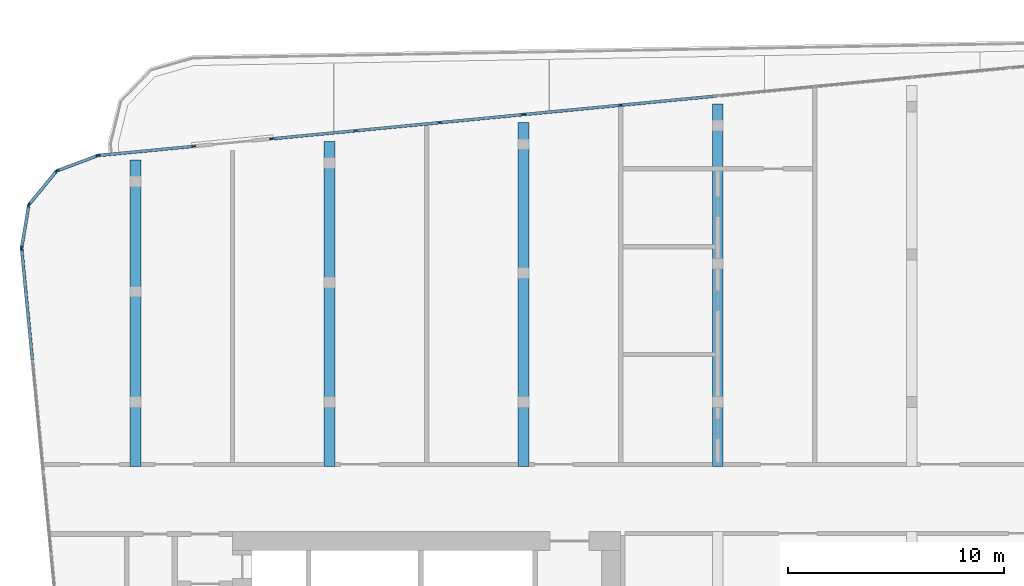
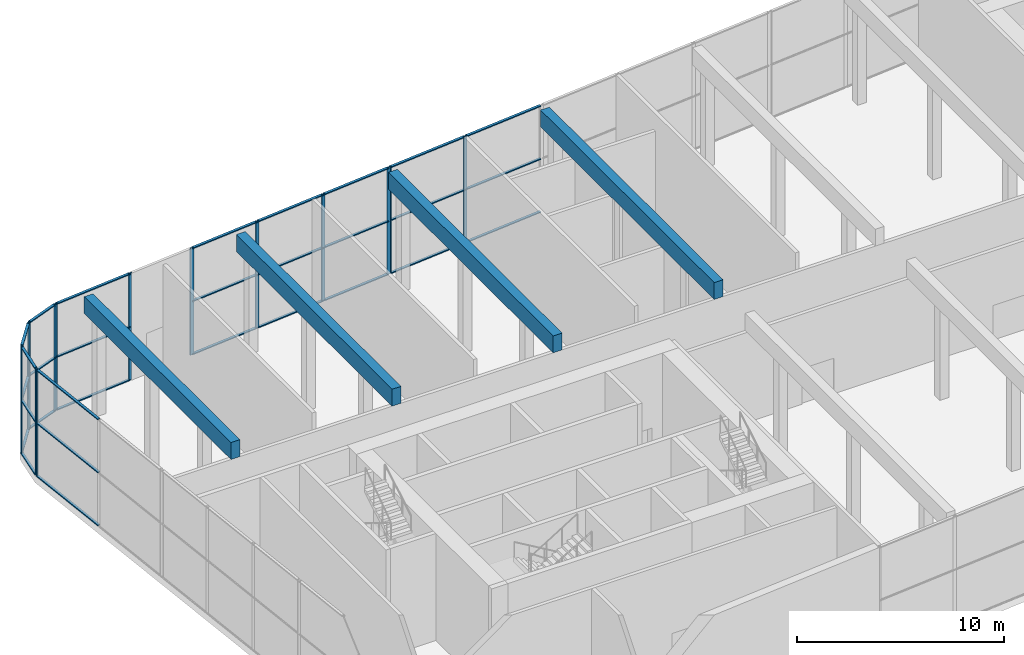
# One storey, part 5 of 24: 45 members, 4 beams, 7 elements without a shape of their own.
"""IFC4 building model written with IfcOpenShell, lengths in metres."""

from ifc_helpers import new_model, si_unit, direction, frame, origin, origin_2d, place, context, subcontext, project, spatial, rectangle, extrude, material, material_profile, profile_set, type_object, element, aggregate, save


model = new_model("IFC4")

# Units and contexts
model_context = context("Model", 3, precision=1e-05, world=origin(), true_north=direction((0.0, 1.0)))
body_context = subcontext(model_context, "Body", "Model", "MODEL_VIEW")
ifc_project = project(units=[si_unit("LENGTHUNIT", "METRE"), si_unit("AREAUNIT", "SQUARE_METRE"), si_unit("VOLUMEUNIT", "CUBIC_METRE"), si_unit("PLANEANGLEUNIT", "RADIAN"), si_unit("MASSUNIT", "GRAM", prefix="KILO")], contexts=[model_context])

# Site, building, storey
site_placement = place(None, origin())
site = spatial("IfcSite", under=ifc_project, at=site_placement, CompositionType="ELEMENT")
building_placement = place(site_placement, origin())
building = spatial("IfcBuilding", under=site, at=building_placement, Name="Kajstack Hotel Tower", CompositionType="ELEMENT")
storey_placement = place(building_placement, frame((0.0, 0.0, 261.89990234375)))
storey = spatial("IfcBuildingStorey", under=building, at=storey_placement, Name="L65", CompositionType="ELEMENT", Elevation=261.89990234375)

# Curtain wall, member
ifc_material_1 = material(Name="Aluminium-framed curtain wall, low-iron insulated glass", Category="aluminium")
curtain_wall_type = type_object("IfcCurtainWallType", Name="CW-GARDEN", PredefinedType="NOTDEFINED", material=ifc_material_1)
curtain_wall_1_placement = place(storey_placement, origin())
curtain_wall_1 = element("IfcCurtainWall", 1, at=curtain_wall_1_placement, inside=storey, type_object=curtain_wall_type, Name="Curtain wall CU6 L65-00-00-0", PredefinedType="NOTDEFINED")
ifc_material_2 = material(Name="Aluminium", Category="aluminium")
ifc_material_profile_1 = material_profile(ifc_material_2, rectangle(XDim=0.06005859375, YDim=0.199951171875, at=origin_2d()), Name="Aluminium mullion 60 x 200")
ifc_profile_set_1 = profile_set([ifc_material_profile_1], Name="Aluminium")
member_type_1 = type_object("IfcMemberType", Name="CW-M-GARDEN", PredefinedType="MULLION", material=ifc_profile_set_1)
member_1_placement = place(storey_placement, frame((-41.27880859375, 11.613525390625, 0.0), z_axis=(0.0, 0.0, 1.0), x_axis=(0.995396099628, 0.095846777958, 0.0)))
member_1 = element("IfcMember", 2, at=member_1_placement, type_object=member_type_1, Name="CU6 mullion 1", PredefinedType="MULLION", context=body_context, shape_type="SweptSolid", body=[
    extrude(rectangle(XDim=0.06005859375, YDim=0.199951171875, at=origin_2d()), origin(), (0.0, 0.0, 1.0), 6.320068359375),
])

# Curtain wall, members
curtain_wall_2_placement = place(storey_placement, origin())
curtain_wall_2 = element("IfcCurtainWall", 3, at=curtain_wall_2_placement, inside=storey, type_object=curtain_wall_type, Name="Curtain wall CU6 L65-12-01-2", PredefinedType="NOTDEFINED")
member_2_placement = place(storey_placement, frame((-13.492919921875, 18.262451171875, 0.0), z_axis=(0.0, 0.0, 1.0), x_axis=(0.095846360834, -0.995396139793, 0.0)))
member_2 = element("IfcMember", 4, at=member_2_placement, type_object=member_type_1, Name="CU6 mullion 2", PredefinedType="MULLION", context=body_context, shape_type="SweptSolid", body=[
    extrude(rectangle(XDim=0.06005859375, YDim=0.199951171875, at=origin_2d()), origin(), (0.0, 0.0, 1.0), 6.320068359375),
])
member_3_placement = place(storey_placement, frame((-17.962890625, 17.83203125, 0.0), z_axis=(0.0, 0.0, 1.0), x_axis=(0.095846360834, -0.995396139793, 0.0)))
member_3 = element("IfcMember", 5, at=member_3_placement, type_object=member_type_1, Name="CU6 mullion 3", PredefinedType="MULLION", context=body_context, shape_type="SweptSolid", body=[
    extrude(rectangle(XDim=0.06005859375, YDim=0.199951171875, at=origin_2d()), origin(), (0.0, 0.0, 1.0), 6.320068359375),
])

curtain_wall_3_placement = place(storey_placement, origin())
curtain_wall_3 = element("IfcCurtainWall", 6, at=curtain_wall_3_placement, inside=storey, type_object=curtain_wall_type, Name="Curtain wall CU6 L65-12-01-3", PredefinedType="NOTDEFINED")
member_4_placement = place(storey_placement, frame((-18.022705078125, 17.826171875, 0.0), z_axis=(0.0, 0.0, 1.0), x_axis=(0.095846301887, -0.995396145469, 0.0)))
member_4 = element("IfcMember", 7, at=member_4_placement, type_object=member_type_1, Name="CU6 mullion 1", PredefinedType="MULLION", context=body_context, shape_type="SweptSolid", body=[
    extrude(rectangle(XDim=0.06005859375, YDim=0.199951171875, at=origin_2d()), origin(), (0.0, 0.0, 1.0), 6.320068359375),
])
member_5_placement = place(storey_placement, frame((-21.8955078125, 17.453369140625, 0.0), z_axis=(0.0, 0.0, 1.0), x_axis=(0.095846301887, -0.995396145469, 0.0)))
member_5 = element("IfcMember", 8, at=member_5_placement, type_object=member_type_1, Name="CU6 mullion 2", PredefinedType="MULLION", context=body_context, shape_type="SweptSolid", body=[
    extrude(rectangle(XDim=0.06005859375, YDim=0.199951171875, at=origin_2d()), origin(), (0.0, 0.0, 1.0), 6.320068359375),
])
member_6_placement = place(storey_placement, frame((-25.79833984375, 17.077392578125, 0.0), z_axis=(0.0, 0.0, 1.0), x_axis=(0.095846301887, -0.995396145469, 0.0)))
member_6 = element("IfcMember", 9, at=member_6_placement, type_object=member_type_1, Name="CU6 mullion 3", PredefinedType="MULLION", context=body_context, shape_type="SweptSolid", body=[
    extrude(rectangle(XDim=0.06005859375, YDim=0.199951171875, at=origin_2d()), origin(), (0.0, 0.0, 1.0), 6.320068359375),
])
member_7_placement = place(storey_placement, frame((-29.671142578125, 16.70458984375, 0.0), z_axis=(0.0, 0.0, 1.0), x_axis=(0.095846301887, -0.995396145469, 0.0)))
member_7 = element("IfcMember", 10, at=member_7_placement, type_object=member_type_1, Name="CU6 mullion 4", PredefinedType="MULLION", context=body_context, shape_type="SweptSolid", body=[
    extrude(rectangle(XDim=0.06005859375, YDim=0.199951171875, at=origin_2d()), origin(), (0.0, 0.0, 1.0), 6.320068359375),
])

curtain_wall_4_placement = place(storey_placement, origin())
curtain_wall_4 = element("IfcCurtainWall", 11, at=curtain_wall_4_placement, inside=storey, type_object=curtain_wall_type, Name="Curtain wall CU6 L65-12-03-0", PredefinedType="NOTDEFINED")
member_8_placement = place(storey_placement, frame((-33.314453125, 16.353759765625, 0.0), z_axis=(0.0, 0.0, 1.0), x_axis=(0.095846358332, -0.995396140034, 0.0)))
member_8 = element("IfcMember", 12, at=member_8_placement, type_object=member_type_1, Name="CU6 mullion 1", PredefinedType="MULLION", context=body_context, shape_type="SweptSolid", body=[
    extrude(rectangle(XDim=0.06005859375, YDim=0.199951171875, at=origin_2d()), origin(), (0.0, 0.0, 1.0), 6.320068359375),
])
member_9_placement = place(storey_placement, frame((-37.720947265625, 15.929443359375, 0.0), z_axis=(0.0, 0.0, 1.0), x_axis=(0.095846358332, -0.995396140034, 0.0)))
member_9 = element("IfcMember", 13, at=member_9_placement, type_object=member_type_1, Name="CU6 mullion 2", PredefinedType="MULLION", context=body_context, shape_type="SweptSolid", body=[
    extrude(rectangle(XDim=0.06005859375, YDim=0.199951171875, at=origin_2d()), origin(), (0.0, 0.0, 1.0), 6.320068359375),
])

curtain_wall_5_placement = place(storey_placement, origin())
curtain_wall_5 = element("IfcCurtainWall", 14, at=curtain_wall_5_placement, inside=storey, type_object=curtain_wall_type, Name="Curtain wall CU6 L65-13-00-0", PredefinedType="NOTDEFINED")
member_10_placement = place(storey_placement, frame((-37.760009765625, 15.92041015625, 0.0), z_axis=(0.0, 0.0, 1.0), x_axis=(0.3502023187, -0.936674082046, 0.0)))
member_10 = element("IfcMember", 15, at=member_10_placement, type_object=member_type_1, Name="CU6 mullion 1", PredefinedType="MULLION", context=body_context, shape_type="SweptSolid", body=[
    extrude(rectangle(XDim=0.06005859375, YDim=0.199951171875, at=origin_2d()), origin(), (0.0, 0.0, 1.0), 6.320068359375),
])
member_11_placement = place(storey_placement, frame((-39.64306640625, 15.21630859375, 0.0), z_axis=(0.0, 0.0, 1.0), x_axis=(0.3502023187, -0.936674082046, 0.0)))
member_11 = element("IfcMember", 16, at=member_11_placement, type_object=member_type_1, Name="CU6 mullion 2", PredefinedType="MULLION", context=body_context, shape_type="SweptSolid", body=[
    extrude(rectangle(XDim=0.06005859375, YDim=0.199951171875, at=origin_2d()), origin(), (0.0, 0.0, 1.0), 6.320068359375),
])

curtain_wall_6_placement = place(storey_placement, origin())
curtain_wall_6 = element("IfcCurtainWall", 17, at=curtain_wall_6_placement, inside=storey, type_object=curtain_wall_type, Name="Curtain wall CU6 L65-14-00-0", PredefinedType="NOTDEFINED")
member_12_placement = place(storey_placement, frame((-39.65869140625, 15.205322265625, 0.0), z_axis=(0.0, 0.0, 1.0), x_axis=(0.771634596978, -0.636066072627, 0.0)))
member_12 = element("IfcMember", 18, at=member_12_placement, type_object=member_type_1, Name="CU6 mullion 1", PredefinedType="MULLION", context=body_context, shape_type="SweptSolid", body=[
    extrude(rectangle(XDim=0.06005859375, YDim=0.199951171875, at=origin_2d()), origin(), (0.0, 0.0, 1.0), 6.320068359375),
])
member_13_placement = place(storey_placement, frame((-40.9375, 13.65380859375, 0.0), z_axis=(0.0, 0.0, 1.0), x_axis=(0.771634596978, -0.636066072627, 0.0)))
member_13 = element("IfcMember", 19, at=member_13_placement, type_object=member_type_1, Name="CU6 mullion 2", PredefinedType="MULLION", context=body_context, shape_type="SweptSolid", body=[
    extrude(rectangle(XDim=0.06005859375, YDim=0.199951171875, at=origin_2d()), origin(), (0.0, 0.0, 1.0), 6.320068359375),
])

curtain_wall_7_placement = place(storey_placement, origin())
curtain_wall_7 = element("IfcCurtainWall", 20, at=curtain_wall_7_placement, inside=storey, type_object=curtain_wall_type, Name="Curtain wall CU6 L65-15-00-0", PredefinedType="NOTDEFINED")
member_14_placement = place(storey_placement, frame((-40.945556640625, 13.636474609375, 0.0), z_axis=(0.0, 0.0, 1.0), x_axis=(0.986280124455, -0.165080332276, 0.0)))
member_14 = element("IfcMember", 21, at=member_14_placement, type_object=member_type_1, Name="CU6 mullion 1", PredefinedType="MULLION", context=body_context, shape_type="SweptSolid", body=[
    extrude(rectangle(XDim=0.06005859375, YDim=0.199951171875, at=origin_2d()), origin(), (0.0, 0.0, 1.0), 6.320068359375),
])
member_15_placement = place(storey_placement, frame((-41.27734375, 11.653564453125, 0.0), z_axis=(0.0, 0.0, 1.0), x_axis=(0.986280124455, -0.165080332276, 0.0)))
member_15 = element("IfcMember", 22, at=member_15_placement, type_object=member_type_1, Name="CU6 mullion 2", PredefinedType="MULLION", context=body_context, shape_type="SweptSolid", body=[
    extrude(rectangle(XDim=0.06005859375, YDim=0.199951171875, at=origin_2d()), origin(), (0.0, 0.0, 1.0), 6.320068359375),
])

# Member
ifc_material_profile_2 = material_profile(ifc_material_2, rectangle(XDim=0.139892578125, YDim=0.06005859375, at=origin_2d()), Name="Aluminium transom 140 x 60")
ifc_profile_set_2 = profile_set([ifc_material_profile_2], Name="Aluminium")
member_type_2 = type_object("IfcMemberType", Name="CW-T-GARDEN", PredefinedType="USERDEFINED", material=ifc_profile_set_2)
member_16_placement = place(storey_placement, frame((-41.27587890625, 11.583740234375, 0.030029296875), z_axis=(0.095857769709, -0.99539504117, 0.0), x_axis=(0.99539504117, 0.095857769709, 0.0)))
member_16 = element("IfcMember", 23, at=member_16_placement, type_object=member_type_2, Name="CU6 transom 1.1", ObjectType="TRANSOM", PredefinedType="USERDEFINED", context=body_context, shape_type="SweptSolid", body=[
    extrude(rectangle(XDim=0.139892578125, YDim=0.06005859375, at=origin_2d()), origin(), (0.0, 0.0, 1.0), 5.15234375),
])

member_17_placement = place(storey_placement, frame((-41.27587890625, 11.583740234375, 3.16015625), z_axis=(0.095857769709, -0.99539504117, 0.0), x_axis=(0.99539504117, 0.095857769709, 0.0)))
member_17 = element("IfcMember", 24, at=member_17_placement, type_object=member_type_2, Name="CU6 transom 1.2", ObjectType="TRANSOM", PredefinedType="USERDEFINED", context=body_context, shape_type="SweptSolid", body=[
    extrude(rectangle(XDim=0.139892578125, YDim=0.06005859375, at=origin_2d()), origin(), (0.0, 0.0, 1.0), 5.15234375),
])

member_18_placement = place(storey_placement, frame((-41.27587890625, 11.583740234375, 6.2900390625), z_axis=(0.095857769709, -0.99539504117, 0.0), x_axis=(0.99539504117, 0.095857769709, 0.0)))
member_18 = element("IfcMember", 25, at=member_18_placement, type_object=member_type_2, Name="CU6 transom 1.3", ObjectType="TRANSOM", PredefinedType="USERDEFINED", context=body_context, shape_type="SweptSolid", body=[
    extrude(rectangle(XDim=0.139892578125, YDim=0.06005859375, at=origin_2d()), origin(), (0.0, 0.0, 1.0), 5.15234375),
])

aggregate(curtain_wall_1, [member_1, member_16, member_17, member_18])

member_19_placement = place(storey_placement, frame((-9.052490234375, 18.68994140625, 0.030029296875), z_axis=(-0.995393367938, -0.095875143106, 0.0), x_axis=(0.095875143106, -0.995393367938, 0.0)))
member_19 = element("IfcMember", 26, at=member_19_placement, type_object=member_type_2, Name="CU6 transom 1.1", ObjectType="TRANSOM", PredefinedType="USERDEFINED", context=body_context, shape_type="SweptSolid", body=[
    extrude(rectangle(XDim=0.139892578125, YDim=0.06005859375, at=origin_2d()), origin(), (0.0, 0.0, 1.0), 4.430908203125),
])

member_20_placement = place(storey_placement, frame((-9.052490234375, 18.68994140625, 3.16015625), z_axis=(-0.995393367938, -0.095875143106, 0.0), x_axis=(0.095875143106, -0.995393367938, 0.0)))
member_20 = element("IfcMember", 27, at=member_20_placement, type_object=member_type_2, Name="CU6 transom 1.2", ObjectType="TRANSOM", PredefinedType="USERDEFINED", context=body_context, shape_type="SweptSolid", body=[
    extrude(rectangle(XDim=0.139892578125, YDim=0.06005859375, at=origin_2d()), origin(), (0.0, 0.0, 1.0), 4.430908203125),
])

member_21_placement = place(storey_placement, frame((-9.052490234375, 18.68994140625, 6.2900390625), z_axis=(-0.995393367938, -0.095875143106, 0.0), x_axis=(0.095875143106, -0.995393367938, 0.0)))
member_21 = element("IfcMember", 28, at=member_21_placement, type_object=member_type_2, Name="CU6 transom 1.3", ObjectType="TRANSOM", PredefinedType="USERDEFINED", context=body_context, shape_type="SweptSolid", body=[
    extrude(rectangle(XDim=0.139892578125, YDim=0.06005859375, at=origin_2d()), origin(), (0.0, 0.0, 1.0), 4.430908203125),
])

member_22_placement = place(storey_placement, frame((-13.522705078125, 18.259521484375, 0.030029296875), z_axis=(-0.995393367938, -0.095875143106, 0.0), x_axis=(0.095875143106, -0.995393367938, 0.0)))
member_22 = element("IfcMember", 29, at=member_22_placement, type_object=member_type_2, Name="CU6 transom 2.1", ObjectType="TRANSOM", PredefinedType="USERDEFINED", context=body_context, shape_type="SweptSolid", body=[
    extrude(rectangle(XDim=0.139892578125, YDim=0.06005859375, at=origin_2d()), origin(), (0.0, 0.0, 1.0), 4.430908203125),
])

member_23_placement = place(storey_placement, frame((-13.522705078125, 18.259521484375, 3.16015625), z_axis=(-0.995393367938, -0.095875143106, 0.0), x_axis=(0.095875143106, -0.995393367938, 0.0)))
member_23 = element("IfcMember", 30, at=member_23_placement, type_object=member_type_2, Name="CU6 transom 2.2", ObjectType="TRANSOM", PredefinedType="USERDEFINED", context=body_context, shape_type="SweptSolid", body=[
    extrude(rectangle(XDim=0.139892578125, YDim=0.06005859375, at=origin_2d()), origin(), (0.0, 0.0, 1.0), 4.430908203125),
])

member_24_placement = place(storey_placement, frame((-13.522705078125, 18.259521484375, 6.2900390625), z_axis=(-0.995393367938, -0.095875143106, 0.0), x_axis=(0.095875143106, -0.995393367938, 0.0)))
member_24 = element("IfcMember", 31, at=member_24_placement, type_object=member_type_2, Name="CU6 transom 2.3", ObjectType="TRANSOM", PredefinedType="USERDEFINED", context=body_context, shape_type="SweptSolid", body=[
    extrude(rectangle(XDim=0.139892578125, YDim=0.06005859375, at=origin_2d()), origin(), (0.0, 0.0, 1.0), 4.430908203125),
])

aggregate(curtain_wall_2, [member_2, member_3, member_19, member_20, member_21, member_22, member_23, member_24])

member_25_placement = place(storey_placement, frame((-18.052490234375, 17.8232421875, 0.030029296875), z_axis=(-0.995395825307, -0.095849626817, 0.0), x_axis=(0.095849626817, -0.995395825307, 0.0)))
member_25 = element("IfcMember", 32, at=member_25_placement, type_object=member_type_2, Name="CU6 transom 1.1", ObjectType="TRANSOM", PredefinedType="USERDEFINED", context=body_context, shape_type="SweptSolid", body=[
    extrude(rectangle(XDim=0.139892578125, YDim=0.06005859375, at=origin_2d()), origin(), (0.0, 0.0, 1.0), 3.830810546875),
])

member_26_placement = place(storey_placement, frame((-18.052490234375, 17.8232421875, 3.16015625), z_axis=(-0.995395825307, -0.095849626817, 0.0), x_axis=(0.095849626817, -0.995395825307, 0.0)))
member_26 = element("IfcMember", 33, at=member_26_placement, type_object=member_type_2, Name="CU6 transom 1.2", ObjectType="TRANSOM", PredefinedType="USERDEFINED", context=body_context, shape_type="SweptSolid", body=[
    extrude(rectangle(XDim=0.139892578125, YDim=0.06005859375, at=origin_2d()), origin(), (0.0, 0.0, 1.0), 3.830810546875),
])

member_27_placement = place(storey_placement, frame((-18.052490234375, 17.8232421875, 6.2900390625), z_axis=(-0.995395825307, -0.095849626817, 0.0), x_axis=(0.095849626817, -0.995395825307, 0.0)))
member_27 = element("IfcMember", 34, at=member_27_placement, type_object=member_type_2, Name="CU6 transom 1.3", ObjectType="TRANSOM", PredefinedType="USERDEFINED", context=body_context, shape_type="SweptSolid", body=[
    extrude(rectangle(XDim=0.139892578125, YDim=0.06005859375, at=origin_2d()), origin(), (0.0, 0.0, 1.0), 3.830810546875),
])

member_28_placement = place(storey_placement, frame((-21.92529296875, 17.450439453125, 0.030029296875), z_axis=(-0.995394884354, -0.095859398087, 0.0), x_axis=(0.095859398087, -0.995394884354, 0.0)))
member_28 = element("IfcMember", 35, at=member_28_placement, type_object=member_type_2, Name="CU6 transom 2.1", ObjectType="TRANSOM", PredefinedType="USERDEFINED", context=body_context, shape_type="SweptSolid", body=[
    extrude(rectangle(XDim=0.139892578125, YDim=0.06005859375, at=origin_2d()), origin(), (0.0, 0.0, 1.0), 3.861083984375),
])

member_29_placement = place(storey_placement, frame((-21.92529296875, 17.450439453125, 3.16015625), z_axis=(-0.995394884354, -0.095859398087, 0.0), x_axis=(0.095859398087, -0.995394884354, 0.0)))
member_29 = element("IfcMember", 36, at=member_29_placement, type_object=member_type_2, Name="CU6 transom 2.2", ObjectType="TRANSOM", PredefinedType="USERDEFINED", context=body_context, shape_type="SweptSolid", body=[
    extrude(rectangle(XDim=0.139892578125, YDim=0.06005859375, at=origin_2d()), origin(), (0.0, 0.0, 1.0), 3.861083984375),
])

member_30_placement = place(storey_placement, frame((-21.92529296875, 17.450439453125, 6.2900390625), z_axis=(-0.995394884354, -0.095859398087, 0.0), x_axis=(0.095859398087, -0.995394884354, 0.0)))
member_30 = element("IfcMember", 37, at=member_30_placement, type_object=member_type_2, Name="CU6 transom 2.3", ObjectType="TRANSOM", PredefinedType="USERDEFINED", context=body_context, shape_type="SweptSolid", body=[
    extrude(rectangle(XDim=0.139892578125, YDim=0.06005859375, at=origin_2d()), origin(), (0.0, 0.0, 1.0), 3.861083984375),
])

member_31_placement = place(storey_placement, frame((-25.828125, 17.074462890625, 0.030029296875), z_axis=(-0.995401903695, -0.095786481929, 0.0), x_axis=(0.095786481929, -0.995401903695, 0.0)))
member_31 = element("IfcMember", 38, at=member_31_placement, type_object=member_type_2, Name="CU6 transom 3.1", ObjectType="TRANSOM", PredefinedType="USERDEFINED", context=body_context, shape_type="SweptSolid", body=[
    extrude(rectangle(XDim=0.139892578125, YDim=0.06005859375, at=origin_2d()), origin(), (0.0, 0.0, 1.0), 3.830810546875),
])

member_32_placement = place(storey_placement, frame((-25.828125, 17.074462890625, 3.16015625), z_axis=(-0.995401903695, -0.095786481929, 0.0), x_axis=(0.095786481929, -0.995401903695, 0.0)))
member_32 = element("IfcMember", 39, at=member_32_placement, type_object=member_type_2, Name="CU6 transom 3.2", ObjectType="TRANSOM", PredefinedType="USERDEFINED", context=body_context, shape_type="SweptSolid", body=[
    extrude(rectangle(XDim=0.139892578125, YDim=0.06005859375, at=origin_2d()), origin(), (0.0, 0.0, 1.0), 3.830810546875),
])

member_33_placement = place(storey_placement, frame((-25.828125, 17.074462890625, 6.2900390625), z_axis=(-0.995401903695, -0.095786481929, 0.0), x_axis=(0.095786481929, -0.995401903695, 0.0)))
member_33 = element("IfcMember", 40, at=member_33_placement, type_object=member_type_2, Name="CU6 transom 3.3", ObjectType="TRANSOM", PredefinedType="USERDEFINED", context=body_context, shape_type="SweptSolid", body=[
    extrude(rectangle(XDim=0.139892578125, YDim=0.06005859375, at=origin_2d()), origin(), (0.0, 0.0, 1.0), 3.830810546875),
])

aggregate(curtain_wall_3, [member_4, member_5, member_6, member_7, member_25, member_26, member_27, member_28, member_29, member_30, member_31, member_32, member_33])

member_34_placement = place(storey_placement, frame((-33.34423828125, 16.350830078125, 0.030029296875), z_axis=(-0.995398472902, -0.095822127636, 0.0), x_axis=(0.095822127636, -0.995398472902, 0.0)))
member_34 = element("IfcMember", 41, at=member_34_placement, type_object=member_type_2, Name="CU6 transom 1.1", ObjectType="TRANSOM", PredefinedType="USERDEFINED", context=body_context, shape_type="SweptSolid", body=[
    extrude(rectangle(XDim=0.139892578125, YDim=0.06005859375, at=origin_2d()), origin(), (0.0, 0.0, 1.0), 4.366943359375),
])

member_35_placement = place(storey_placement, frame((-33.34423828125, 16.350830078125, 3.16015625), z_axis=(-0.995398472902, -0.095822127636, 0.0), x_axis=(0.095822127636, -0.995398472902, 0.0)))
member_35 = element("IfcMember", 42, at=member_35_placement, type_object=member_type_2, Name="CU6 transom 1.2", ObjectType="TRANSOM", PredefinedType="USERDEFINED", context=body_context, shape_type="SweptSolid", body=[
    extrude(rectangle(XDim=0.139892578125, YDim=0.06005859375, at=origin_2d()), origin(), (0.0, 0.0, 1.0), 4.366943359375),
])

member_36_placement = place(storey_placement, frame((-33.34423828125, 16.350830078125, 6.2900390625), z_axis=(-0.995398472902, -0.095822127636, 0.0), x_axis=(0.095822127636, -0.995398472902, 0.0)))
member_36 = element("IfcMember", 43, at=member_36_placement, type_object=member_type_2, Name="CU6 transom 1.3", ObjectType="TRANSOM", PredefinedType="USERDEFINED", context=body_context, shape_type="SweptSolid", body=[
    extrude(rectangle(XDim=0.139892578125, YDim=0.06005859375, at=origin_2d()), origin(), (0.0, 0.0, 1.0), 4.366943359375),
])

aggregate(curtain_wall_4, [member_8, member_9, member_34, member_35, member_36])

member_37_placement = place(storey_placement, frame((-37.7880859375, 15.909912109375, 0.030029296875), z_axis=(-0.936663116963, -0.350231645231, 0.0), x_axis=(0.350231645231, -0.936663116963, 0.0)))
member_37 = element("IfcMember", 44, at=member_37_placement, type_object=member_type_2, Name="CU6 transom 1.1", ObjectType="TRANSOM", PredefinedType="USERDEFINED", context=body_context, shape_type="SweptSolid", body=[
    extrude(rectangle(XDim=0.139892578125, YDim=0.06005859375, at=origin_2d()), origin(), (0.0, 0.0, 1.0), 1.950439453125),
])

member_38_placement = place(storey_placement, frame((-37.7880859375, 15.909912109375, 3.16015625), z_axis=(-0.936663116963, -0.350231645231, 0.0), x_axis=(0.350231645231, -0.936663116963, 0.0)))
member_38 = element("IfcMember", 45, at=member_38_placement, type_object=member_type_2, Name="CU6 transom 1.2", ObjectType="TRANSOM", PredefinedType="USERDEFINED", context=body_context, shape_type="SweptSolid", body=[
    extrude(rectangle(XDim=0.139892578125, YDim=0.06005859375, at=origin_2d()), origin(), (0.0, 0.0, 1.0), 1.950439453125),
])

member_39_placement = place(storey_placement, frame((-37.7880859375, 15.909912109375, 6.2900390625), z_axis=(-0.936663116963, -0.350231645231, 0.0), x_axis=(0.350231645231, -0.936663116963, 0.0)))
member_39 = element("IfcMember", 46, at=member_39_placement, type_object=member_type_2, Name="CU6 transom 1.3", ObjectType="TRANSOM", PredefinedType="USERDEFINED", context=body_context, shape_type="SweptSolid", body=[
    extrude(rectangle(XDim=0.139892578125, YDim=0.06005859375, at=origin_2d()), origin(), (0.0, 0.0, 1.0), 1.950439453125),
])

aggregate(curtain_wall_5, [member_10, member_11, member_37, member_38, member_39])

member_40_placement = place(storey_placement, frame((-39.677734375, 15.18212890625, 0.030029296875), z_axis=(-0.636075700037, -0.771626660907, 0.0), x_axis=(0.771626660907, -0.636075700037, 0.0)))
member_40 = element("IfcMember", 47, at=member_40_placement, type_object=member_type_2, Name="CU6 transom 1.1", ObjectType="TRANSOM", PredefinedType="USERDEFINED", context=body_context, shape_type="SweptSolid", body=[
    extrude(rectangle(XDim=0.139892578125, YDim=0.06005859375, at=origin_2d()), origin(), (0.0, 0.0, 1.0), 1.95068359375),
])

member_41_placement = place(storey_placement, frame((-39.677734375, 15.18212890625, 3.16015625), z_axis=(-0.636075700037, -0.771626660907, 0.0), x_axis=(0.771626660907, -0.636075700037, 0.0)))
member_41 = element("IfcMember", 48, at=member_41_placement, type_object=member_type_2, Name="CU6 transom 1.2", ObjectType="TRANSOM", PredefinedType="USERDEFINED", context=body_context, shape_type="SweptSolid", body=[
    extrude(rectangle(XDim=0.139892578125, YDim=0.06005859375, at=origin_2d()), origin(), (0.0, 0.0, 1.0), 1.95068359375),
])

member_42_placement = place(storey_placement, frame((-39.677734375, 15.18212890625, 6.2900390625), z_axis=(-0.636075700037, -0.771626660907, 0.0), x_axis=(0.771626660907, -0.636075700037, 0.0)))
member_42 = element("IfcMember", 49, at=member_42_placement, type_object=member_type_2, Name="CU6 transom 1.3", ObjectType="TRANSOM", PredefinedType="USERDEFINED", context=body_context, shape_type="SweptSolid", body=[
    extrude(rectangle(XDim=0.139892578125, YDim=0.06005859375, at=origin_2d()), origin(), (0.0, 0.0, 1.0), 1.95068359375),
])

aggregate(curtain_wall_6, [member_12, member_13, member_40, member_41, member_42])

member_43_placement = place(storey_placement, frame((-40.950439453125, 13.60693359375, 0.030029296875), z_axis=(-0.165089030927, -0.986278668464, 0.0), x_axis=(0.986278668464, -0.165089030927, 0.0)))
member_43 = element("IfcMember", 50, at=member_43_placement, type_object=member_type_2, Name="CU6 transom 1.1", ObjectType="TRANSOM", PredefinedType="USERDEFINED", context=body_context, shape_type="SweptSolid", body=[
    extrude(rectangle(XDim=0.139892578125, YDim=0.06005859375, at=origin_2d()), origin(), (0.0, 0.0, 1.0), 1.95068359375),
])

member_44_placement = place(storey_placement, frame((-40.950439453125, 13.60693359375, 3.16015625), z_axis=(-0.165089030927, -0.986278668464, 0.0), x_axis=(0.986278668464, -0.165089030927, 0.0)))
member_44 = element("IfcMember", 51, at=member_44_placement, type_object=member_type_2, Name="CU6 transom 1.2", ObjectType="TRANSOM", PredefinedType="USERDEFINED", context=body_context, shape_type="SweptSolid", body=[
    extrude(rectangle(XDim=0.139892578125, YDim=0.06005859375, at=origin_2d()), origin(), (0.0, 0.0, 1.0), 1.95068359375),
])

member_45_placement = place(storey_placement, frame((-40.950439453125, 13.60693359375, 6.2900390625), z_axis=(-0.165089030927, -0.986278668464, 0.0), x_axis=(0.986278668464, -0.165089030927, 0.0)))
member_45 = element("IfcMember", 52, at=member_45_placement, type_object=member_type_2, Name="CU6 transom 1.3", ObjectType="TRANSOM", PredefinedType="USERDEFINED", context=body_context, shape_type="SweptSolid", body=[
    extrude(rectangle(XDim=0.139892578125, YDim=0.06005859375, at=origin_2d()), origin(), (0.0, 0.0, 1.0), 1.95068359375),
])

aggregate(curtain_wall_7, [member_14, member_15, member_43, member_44, member_45])

# Beams
ifc_material_3 = material(Name="Concrete C60/75", Category="concrete")
ifc_material_profile_3 = material_profile(ifc_material_3, rectangle(XDim=0.5, YDim=1.0, at=origin_2d()), Name="RC 500x1000")
ifc_profile_set_3 = profile_set([ifc_material_profile_3], Name="Concrete C60/75")
beam_type = type_object("IfcBeamType", Name="TG5 RC 500x1000 C60/75", PredefinedType="BEAM", material=ifc_profile_set_3)
beam_1_placement = place(storey_placement, frame((-36.0, 1.5, 5.820068359375), z_axis=(0.0, 1.0, 0.0), x_axis=(-1.0, 0.0, 0.0)))
element("IfcBeam", 53, at=beam_1_placement, inside=storey, type_object=beam_type, Name="S-girder-L65--36p0-1", PredefinedType="BEAM", context=body_context, shape_type="SweptSolid", body=[
    extrude(rectangle(XDim=0.5, YDim=1.0, at=origin_2d()), origin(), (0.0, 0.0, 1.0), 14.218505859375),
])
beam_2_placement = place(storey_placement, frame((-27.0, 1.5, 5.820068359375), z_axis=(0.0, 1.0, 0.0), x_axis=(-1.0, 0.0, 0.0)))
element("IfcBeam", 54, at=beam_2_placement, inside=storey, type_object=beam_type, Name="S-girder-L65--27p0-1", PredefinedType="BEAM", context=body_context, shape_type="SweptSolid", body=[
    extrude(rectangle(XDim=0.5, YDim=1.0, at=origin_2d()), origin(), (0.0, 0.0, 1.0), 15.0849609375),
])
beam_3_placement = place(storey_placement, frame((-18.0, 1.5, 5.820068359375), z_axis=(0.0, 1.0, 0.0), x_axis=(-1.0, 0.0, 0.0)))
element("IfcBeam", 55, at=beam_3_placement, inside=storey, type_object=beam_type, Name="S-girder-L65--18p0-1", PredefinedType="BEAM", context=body_context, shape_type="SweptSolid", body=[
    extrude(rectangle(XDim=0.5, YDim=1.0, at=origin_2d()), origin(), (0.0, 0.0, 1.0), 15.95166015625),
])
beam_4_placement = place(storey_placement, frame((-9.0, 1.5, 5.820068359375), z_axis=(0.0, 1.0, 0.0), x_axis=(-1.0, 0.0, 0.0)))
element("IfcBeam", 56, at=beam_4_placement, inside=storey, type_object=beam_type, Name="S-girder-L65--9p0-2", PredefinedType="BEAM", context=body_context, shape_type="SweptSolid", body=[
    extrude(rectangle(XDim=0.5, YDim=1.0, at=origin_2d()), origin(), (0.0, 0.0, 1.0), 16.818115234375),
])

save(model, "model.ifc")
